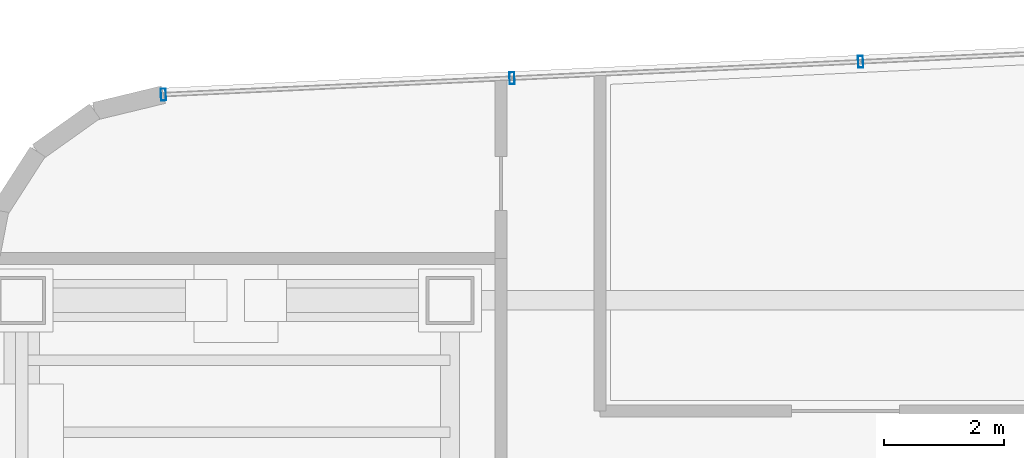
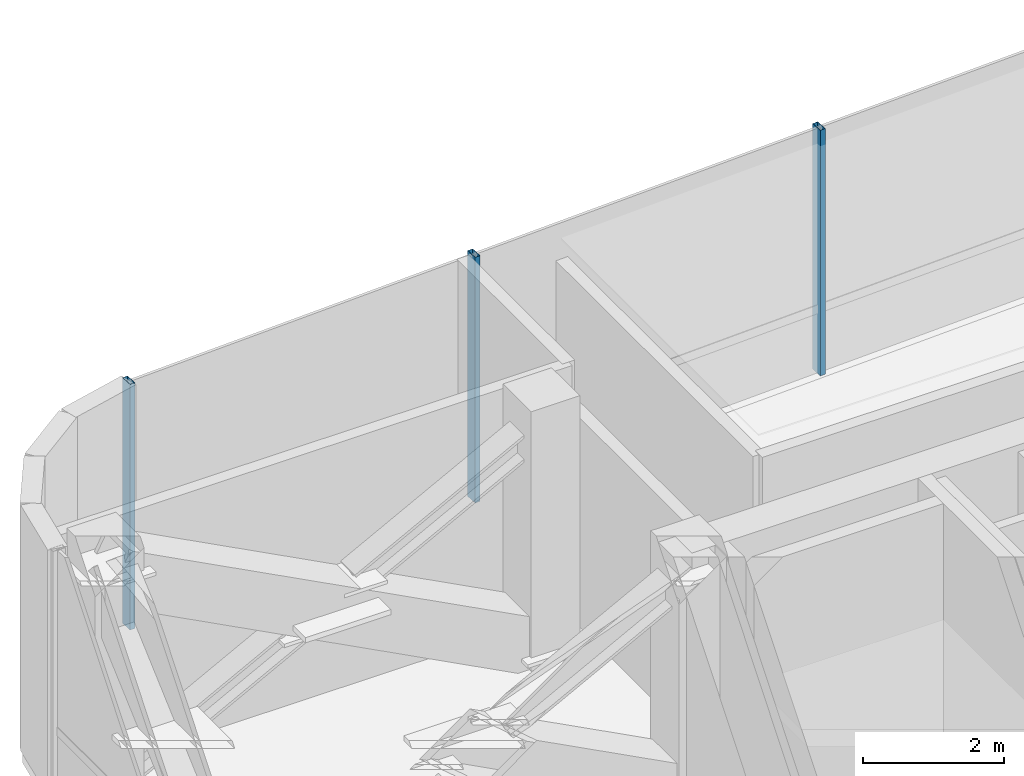
# One storey, part 12 of 19: 3 members, 1 element without a shape of its own.
"""IFC4 building model written with IfcOpenShell, lengths in metres."""

from ifc_helpers import new_model, si_unit, direction, frame, origin, origin_2d, place, context, subcontext, project, spatial, hollow_rectangle, extrude, source, transform, mapped, material, material_profile, profile_set, type_object, element, aggregate, save


model = new_model("IFC4")

# Units and contexts
model_context = context("Model", 3, precision=1e-05, world=origin(), true_north=direction((0.0, 1.0)))
body_context = subcontext(model_context, "Body", "Model", "MODEL_VIEW")
ifc_project = project(units=[si_unit("LENGTHUNIT", "METRE"), si_unit("AREAUNIT", "SQUARE_METRE"), si_unit("VOLUMEUNIT", "CUBIC_METRE"), si_unit("PLANEANGLEUNIT", "RADIAN"), si_unit("MASSUNIT", "GRAM", prefix="KILO")], contexts=[model_context])

# Site, building, storey
site_placement = place(None, origin())
site = spatial("IfcSite", under=ifc_project, at=site_placement, CompositionType="ELEMENT")
building_placement = place(site_placement, origin())
building = spatial("IfcBuilding", under=site, at=building_placement, Name="Valdorenza Pilgrim Sanctuary Tower", CompositionType="ELEMENT")
storey_placement = place(building_placement, frame((0.0, 0.0, 261.5)))
storey = spatial("IfcBuildingStorey", under=building, at=storey_placement, Name="L68", CompositionType="ELEMENT", Elevation=261.5)

# Curtain wall, members
ifc_material_1 = material(Name="Curtain-wall IGU glazing", Category="glass")
curtain_wall_type = type_object("IfcCurtainWallType", Name="CW-SYS-02", PredefinedType="NOTDEFINED", material=ifc_material_1)
curtain_wall_placement = place(storey_placement, origin())
curtain_wall = element("IfcCurtainWall", 1, at=curtain_wall_placement, inside=storey, type_object=curtain_wall_type, Name="L68 Curtain Wall CW-L68-1-6", PredefinedType="NOTDEFINED")
ifc_material_2 = material(Name="Anodised aluminium AW-6060", Category="aluminium")
ifc_material_profile = material_profile(ifc_material_2, hollow_rectangle(XDim=0.0849609375, YDim=0.199951171875, WallThickness=0.0048828125, at=origin_2d()), Name="ALU-M 200x85x5")
ifc_profile_set = profile_set([ifc_material_profile], Name="Anodised aluminium AW-6060")
member_type = type_object("IfcMemberType", Name="CW-MUL-02", PredefinedType="MULLION", material=ifc_profile_set)
shared_shape = source(origin(), body_context, "Body", "SweptSolid", [
    extrude(hollow_rectangle(XDim=0.0849609375, YDim=0.199951171875, WallThickness=0.0048828125, at=origin_2d()), origin(), (0.0, 0.0, 1.0), 4.260009765625),
])
member_1_placement = place(storey_placement, frame((-27.43505859375, 18.234375, 0.0), z_axis=(0.0, 0.0, 1.0), x_axis=(0.998890696972, 0.047089016785, 0.0)))
member_1 = element("IfcMember", 2, at=member_1_placement, type_object=member_type, Name="CW-L68-1-6 Mullion 1", PredefinedType="MULLION", context=body_context, shape_type="MappedRepresentation", body=[
    mapped(shared_shape, transform((0.0, 0.0, 0.0), x_axis=(1.0, 0.0, 0.0), y_axis=(0.0, 1.0, 0.0), z_axis=(0.0, 0.0, 1.0), scale=1.0)),
])
member_2_placement = place(storey_placement, frame((-21.615478515625, 18.5087890625, 0.0), z_axis=(0.0, 0.0, 1.0), x_axis=(0.998890696972, 0.047089016785, 0.0)))
member_2 = element("IfcMember", 3, at=member_2_placement, type_object=member_type, Name="CW-L68-1-6 Mullion 2", PredefinedType="MULLION", context=body_context, shape_type="MappedRepresentation", body=[
    mapped(shared_shape, transform((0.0, 0.0, 0.0), x_axis=(1.0, 0.0, 0.0), y_axis=(0.0, 1.0, 0.0), z_axis=(0.0, 0.0, 1.0), scale=1.0)),
])
member_3_placement = place(storey_placement, frame((-15.7958984375, 18.782958984375, 0.0), z_axis=(0.0, 0.0, 1.0), x_axis=(0.998890696972, 0.047089016785, 0.0)))
member_3 = element("IfcMember", 4, at=member_3_placement, type_object=member_type, Name="CW-L68-1-6 Mullion 3", PredefinedType="MULLION", context=body_context, shape_type="MappedRepresentation", body=[
    mapped(shared_shape, transform((0.0, 0.0, 0.0), x_axis=(1.0, 0.0, 0.0), y_axis=(0.0, 1.0, 0.0), z_axis=(0.0, 0.0, 1.0), scale=1.0)),
])
aggregate(curtain_wall, [member_1, member_2, member_3])

save(model, "model.ifc")
